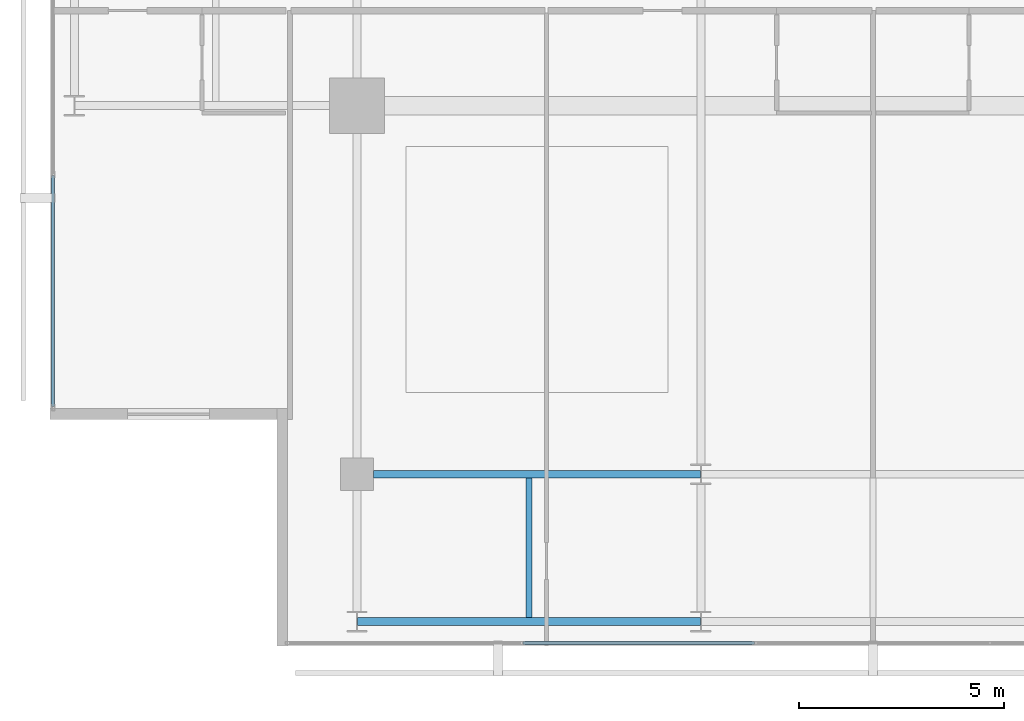
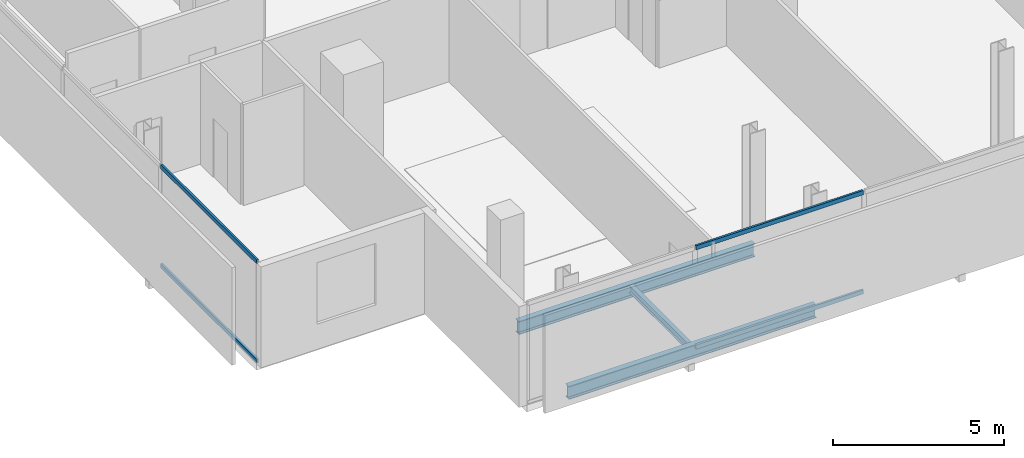
# One storey, part 3 of 23: 4 members, 3 beams, 2 elements without a shape of their own.
"""IFC4 building model written with IfcOpenShell, lengths in metres."""

import ifcopenshell
import ifcopenshell.guid

model = None  # the IFC model being written
_history = None  # IfcOwnerHistory: only IFC2X3 demands one
_inside = {}  # id of a spatial element -> (the spatial element, [elements in it])
_under = {}  # id of a project, library or spatial element -> (it, [spatial elements below it])
_declared = {}  # id of a project -> (the project, [libraries it declares])
_typed = {}  # id of a type object -> (the type object, [elements of that type])
_made_of = {}  # id of a material, layer set ... -> (it, [elements and type objects made of it])


def new_model(schema):
    """Start an empty IFC model of exactly this schema.

    Asked for "IFC4X3", IfcOpenShell would pick the latest addendum, in which some entities
    have other attributes; the version numbers below select the first issue.
    IFC2X3 requires an IfcOwnerHistory on every rooted entity: one is made here for all.
    """
    global model, _history
    if schema == "IFC4X3":
        model = ifcopenshell.file(schema_version=(4, 3, 0, 0))
    else:
        model = ifcopenshell.file(schema=schema)
    _inside.clear()
    _under.clear()
    _declared.clear()
    _typed.clear()
    _made_of.clear()
    _history = None
    if model.schema == "IFC2X3":
        org = make("IfcOrganization", Name="unknown")
        user = make(
            "IfcPersonAndOrganization",
            ThePerson=make("IfcPerson", FamilyName="unknown"),
            TheOrganization=org,
        )
        app = make(
            "IfcApplication",
            ApplicationDeveloper=org,
            Version="unknown",
            ApplicationFullName="unknown",
            ApplicationIdentifier="unknown",
        )
        _history = make(
            "IfcOwnerHistory",
            OwningUser=user,
            OwningApplication=app,
            ChangeAction="ADDED",
            CreationDate=0,
        )
    return model


def make(cls, **values):
    """One entity of the class cls with the attributes given. An attribute that is None is left unset."""
    return model.create_entity(
        cls, **{name: value for name, value in values.items() if value is not None}
    )


def rooted(cls, **values):
    """An entity with a GlobalId (a new one), such as an element, a storey or a relation."""
    return make(cls, GlobalId=ifcopenshell.guid.new(), OwnerHistory=_history, **values)


def si_unit(unit_type, name, prefix=None):
    """IfcSIUnit, for example si_unit("LENGTHUNIT", "METRE", prefix="MILLI")."""
    return make("IfcSIUnit", UnitType=unit_type, Prefix=prefix, Name=name)


def assignment(units):
    """IfcUnitAssignment: the units of a project."""
    return None if units is None else make("IfcUnitAssignment", Units=units)


def point(xyz):
    """IfcCartesianPoint."""
    return None if xyz is None else make("IfcCartesianPoint", Coordinates=xyz)


def direction(xyz):
    """IfcDirection."""
    return None if xyz is None else make("IfcDirection", DirectionRatios=xyz)


def frame(location, z_axis=None, x_axis=None):
    """IfcAxis2Placement3D, a coordinate frame: its origin and axes. An axis left out is left unset."""
    return make(
        "IfcAxis2Placement3D",
        Location=point(location),
        Axis=direction(z_axis),
        RefDirection=direction(x_axis),
    )


def frame_2d(location, x_axis=None):
    """IfcAxis2Placement2D, a coordinate frame in the plane: its origin and x axis."""
    return make(
        "IfcAxis2Placement2D", Location=point(location), RefDirection=direction(x_axis)
    )


def origin():
    """The frame at (0, 0, 0) with its axes left unset."""
    return frame((0.0, 0.0, 0.0))


def origin_2d():
    """The frame at (0, 0) in the plane with its x axis left unset."""
    return frame_2d((0.0, 0.0))


def place(relative_to, where):
    """IfcLocalPlacement: puts the frame where relative to a parent placement (None: the world)."""
    return make(
        "IfcLocalPlacement", PlacementRelTo=relative_to, RelativePlacement=where
    )


def context(
    kind, dimensions, precision=None, world=None, true_north=None, identifier=None
):
    """IfcGeometricRepresentationContext, for example the 3D "Model" context."""
    return make(
        "IfcGeometricRepresentationContext",
        ContextIdentifier=identifier,
        ContextType=kind,
        CoordinateSpaceDimension=dimensions,
        Precision=precision,
        WorldCoordinateSystem=world,
        TrueNorth=true_north,
    )


def subcontext(parent, identifier, kind, view, scale=None):
    """IfcGeometricRepresentationSubContext, for example "Body" below "Model"."""
    return make(
        "IfcGeometricRepresentationSubContext",
        ContextIdentifier=identifier,
        ContextType=kind,
        ParentContext=parent,
        TargetScale=scale,
        TargetView=view,
    )


def project(units=None, contexts=None):
    """IfcProject with its units and contexts."""
    return rooted(
        "IfcProject",
        Name="project",
        RepresentationContexts=contexts,
        UnitsInContext=assignment(units),
    )


def spatial(cls, under=None, at=None, **own):
    """A site, building, storey or space (cls), placed at a placement, below another one or the project."""
    s = rooted(cls, ObjectPlacement=at, **own)
    if under is not None:
        _under.setdefault(under.id(), (under, []))[1].append(s)
    return s


def profile(cls, at=None, kind="AREA", **sizes):
    """A parametric profile (cls). Its sizes go by their IFC names, for example OverallWidth=200.0."""
    return make(cls, ProfileType=kind, Position=at, **sizes)


def hollow_rectangle(**sizes):
    """IfcRectangleHollowProfileDef."""
    return profile("IfcRectangleHollowProfileDef", **sizes)


def i_section(**sizes):
    """IfcIShapeProfileDef."""
    return profile("IfcIShapeProfileDef", **sizes)


def extrude(swept, where, along, depth):
    """IfcExtrudedAreaSolid: the profile swept, set in the frame where, extruded along a direction by depth."""
    return make(
        "IfcExtrudedAreaSolid",
        SweptArea=swept,
        Position=where,
        ExtrudedDirection=direction(along),
        Depth=depth,
    )


def shape(context_of_items, identifier, shape_type, items):
    """IfcShapeRepresentation: the items that make up one representation, for example the "Body"."""
    return make(
        "IfcShapeRepresentation",
        ContextOfItems=context_of_items,
        RepresentationIdentifier=identifier,
        RepresentationType=shape_type,
        Items=items,
    )


def material(Name=None, Category=None):
    """IfcMaterial."""
    return make("IfcMaterial", Name=Name, Category=Category)


def layer(
    of_material, thickness, ventilated=None, Name=None, Category=None, Priority=None
):
    """IfcMaterialLayer: one layer of a wall or slab, of a material (None: an air gap)."""
    return make(
        "IfcMaterialLayer",
        Material=of_material,
        LayerThickness=thickness,
        IsVentilated=ventilated,
        Name=Name,
        Category=Category,
        Priority=Priority,
    )


def layer_set(layers, Name=None):
    """IfcMaterialLayerSet."""
    return make("IfcMaterialLayerSet", MaterialLayers=layers, LayerSetName=Name)


def material_profile(
    of_material, cross_section, Name=None, Category=None, Priority=None
):
    """IfcMaterialProfile: a cross section and its material."""
    return make(
        "IfcMaterialProfile",
        Name=Name,
        Material=of_material,
        Profile=cross_section,
        Priority=Priority,
        Category=Category,
    )


def profile_set(profiles, Name=None, composite=None):
    """IfcMaterialProfileSet."""
    return make(
        "IfcMaterialProfileSet",
        Name=Name,
        MaterialProfiles=profiles,
        CompositeProfile=composite,
    )


def made_of(thing, what):
    """Note that an element or type object is made of a material, layer set ...; save() writes the relation."""
    if what is not None:
        _made_of.setdefault(what.id(), (what, []))[1].append(thing)
    return thing


def type_object(cls, material=None, **own):
    """A type object (cls), such as IfcWallType, which elements share."""
    return made_of(rooted(cls, **own), material)


def element(
    cls,
    number,
    at=None,
    inside=None,
    cuts=None,
    type_object=None,
    material=None,
    context=None,
    identifier="Body",
    shape_type=None,
    held_by="IfcProductDefinitionShape",
    body=None,
    shapes=None,
    **own,
):
    """One element of the class cls, such as IfcWall. Its Tag is "e" and its number.

    at: its placement. inside: the storey or other place that contains it. cuts: it is an
    opening in that element (IfcRelVoidsElement). A single representation is given by context,
    identifier, shape_type and body (its items); several are given by shapes. held_by: the class
    of the entity that holds the representations. save() writes the other relations.
    """
    e = rooted(cls, Tag="e%d" % number, ObjectPlacement=at, **own)
    if body is not None:
        shapes = [shape(context, identifier, shape_type, body)]
    if shapes is not None:
        e.Representation = make(held_by, Representations=shapes)
    if inside is not None:
        _inside.setdefault(inside.id(), (inside, []))[1].append(e)
    if cuts is not None:
        rooted(
            "IfcRelVoidsElement", RelatingBuildingElement=cuts, RelatedOpeningElement=e
        )
    if type_object is not None:
        _typed.setdefault(type_object.id(), (type_object, []))[1].append(e)
    return made_of(e, material)


def aggregate(whole, parts):
    """IfcRelAggregates: a whole, such as a stair, and the parts it consists of."""
    return rooted("IfcRelAggregates", RelatingObject=whole, RelatedObjects=parts)


def save(model, path):
    """Write the relations noted so far, then the file.

    IfcRelAggregates (storeys below a building ...), IfcRelContainedInSpatialStructure (elements
    in a storey), IfcRelDefinesByType, IfcRelAssociatesMaterial and IfcRelDeclares: one each for
    every whole, place, type object, material and project.
    """
    for whole, parts in _under.values():
        aggregate(whole, parts)
    for where, things in _inside.values():
        rooted(
            "IfcRelContainedInSpatialStructure",
            RelatedElements=things,
            RelatingStructure=where,
        )
    for kind, things in _typed.values():
        rooted("IfcRelDefinesByType", RelatedObjects=things, RelatingType=kind)
    for what, things in _made_of.values():
        rooted("IfcRelAssociatesMaterial", RelatedObjects=things, RelatingMaterial=what)
    for by, libraries in _declared.values():
        rooted("IfcRelDeclares", RelatingContext=by, RelatedDefinitions=libraries)
    model.write(path)


model = new_model("IFC4")

# Units and contexts
model_context = context("Model", 3, precision=1e-05, world=origin(), true_north=direction((0.0, 1.0)))
body_context = subcontext(model_context, "Body", "Model", "MODEL_VIEW")
ifc_project = project(units=[si_unit("LENGTHUNIT", "METRE"), si_unit("AREAUNIT", "SQUARE_METRE"), si_unit("VOLUMEUNIT", "CUBIC_METRE"), si_unit("PLANEANGLEUNIT", "RADIAN"), si_unit("MASSUNIT", "GRAM", prefix="KILO")], contexts=[model_context])

# Site, building, storey
site_placement = place(None, origin())
site = spatial("IfcSite", under=ifc_project, at=site_placement, CompositionType="ELEMENT")
building_placement = place(site_placement, origin())
building = spatial("IfcBuilding", under=site, at=building_placement, Name="Maruvema Waterfront Hotel and Observation Tower", CompositionType="ELEMENT")
storey_placement = place(building_placement, frame((0.0, 0.0, 337.39990234375)))
storey = spatial("IfcBuildingStorey", under=building, at=storey_placement, Name="L83", CompositionType="ELEMENT", Elevation=337.39990234375)

# Curtain wall, members
ifc_material_1 = material(Name="Anodised bronze aluminium and solar-control low-E IGU", Category="aluminium")
ifc_layer = layer(ifc_material_1, 0.159912109375, Name="Zone 4 Sky Residence Inner Curtain Wall System CW-05")
ifc_layer_set = layer_set([ifc_layer], Name="Anodised bronze aluminium and solar-control low-E IGU")
curtain_wall_type = type_object("IfcCurtainWallType", Name="Zone 4 Sky Residence Inner Curtain Wall System CW-05", PredefinedType="USERDEFINED", material=ifc_layer_set)
curtain_wall_1_placement = place(storey_placement, origin())
curtain_wall_1 = element("IfcCurtainWall", 1, at=curtain_wall_1_placement, inside=storey, type_object=curtain_wall_type, Name="L83 Curtain Wall CW-L83-S", ObjectType="UNITISED CURTAIN WALL", PredefinedType="USERDEFINED")
ifc_material_2 = material(Name="Anodised architectural bronze aluminium", Category="aluminium")
ifc_material_profile_1 = material_profile(ifc_material_2, hollow_rectangle(XDim=0.070068359375, YDim=0.14990234375, WallThickness=0.00390625, at=origin_2d()), Name="ALU-T70x150")
ifc_profile_set_1 = profile_set([ifc_material_profile_1], Name="Anodised architectural bronze aluminium")
member_type = type_object("IfcMemberType", Name="Curtain Wall Horizontal Transom ALU-T70x150", PredefinedType="USERDEFINED", material=ifc_profile_set_1)
member_1_placement = place(storey_placement, frame((29.25, 13.8798828125, 0.030029296875), z_axis=(1.0, 0.0, 0.0), x_axis=(0.0, 1.0, 0.0)))
member_1 = element("IfcMember", 2, at=member_1_placement, type_object=member_type, Name="CW-05 transom 2.1", ObjectType="TRANSOM", PredefinedType="USERDEFINED", context=body_context, shape_type="SweptSolid", body=[
    extrude(hollow_rectangle(XDim=0.070068359375, YDim=0.14990234375, WallThickness=0.00390625, at=origin_2d()), origin(), (0.0, 0.0, 1.0), 5.659912109375),
])
member_2_placement = place(storey_placement, frame((29.25, 13.8798828125, 3.580078125), z_axis=(1.0, 0.0, 0.0), x_axis=(0.0, 1.0, 0.0)))
member_2 = element("IfcMember", 3, at=member_2_placement, type_object=member_type, Name="CW-05 transom 2.2", ObjectType="TRANSOM", PredefinedType="USERDEFINED", context=body_context, shape_type="SweptSolid", body=[
    extrude(hollow_rectangle(XDim=0.070068359375, YDim=0.14990234375, WallThickness=0.00390625, at=origin_2d()), origin(), (0.0, 0.0, 1.0), 5.659912109375),
])
aggregate(curtain_wall_1, [member_1, member_2])

curtain_wall_2_placement = place(storey_placement, origin())
curtain_wall_2 = element("IfcCurtainWall", 4, at=curtain_wall_2_placement, inside=storey, type_object=curtain_wall_type, Name="L83 Curtain Wall CW-L83-W", ObjectType="UNITISED CURTAIN WALL", PredefinedType="USERDEFINED")
member_3_placement = place(storey_placement, frame((17.780029296875, 25.2900390625, 0.030029296875), z_axis=(0.0, -1.0, 0.0), x_axis=(1.0, 0.0, 0.0)))
member_3 = element("IfcMember", 5, at=member_3_placement, type_object=member_type, Name="CW-05 transom 5.1", ObjectType="TRANSOM", PredefinedType="USERDEFINED", context=body_context, shape_type="SweptSolid", body=[
    extrude(hollow_rectangle(XDim=0.070068359375, YDim=0.14990234375, WallThickness=0.00390625, at=origin_2d()), origin(), (0.0, 0.0, 1.0), 5.630126953125),
])
member_4_placement = place(storey_placement, frame((17.780029296875, 25.2900390625, 3.580078125), z_axis=(0.0, -1.0, 0.0), x_axis=(1.0, 0.0, 0.0)))
member_4 = element("IfcMember", 6, at=member_4_placement, type_object=member_type, Name="CW-05 transom 5.2", ObjectType="TRANSOM", PredefinedType="USERDEFINED", context=body_context, shape_type="SweptSolid", body=[
    extrude(hollow_rectangle(XDim=0.070068359375, YDim=0.14990234375, WallThickness=0.00390625, at=origin_2d()), origin(), (0.0, 0.0, 1.0), 5.630126953125),
])
aggregate(curtain_wall_2, [member_3, member_4])

# Beams
ifc_material_3 = material(Name="Steel ASTM A572 Grade 50", Category="steel")
ifc_material_profile_2 = material_profile(ifc_material_3, i_section(OverallWidth=0.194091796875, OverallDepth=0.468994140625, WebThickness=0.0126953125, FlangeThickness=0.0205078125, FilletRadius=0.014892578125, at=origin_2d()), Name="W460x106.0")
ifc_profile_set_2 = profile_set([ifc_material_profile_2], Name="Steel ASTM A572 Grade 50")
beam_type_1 = type_object("IfcBeamType", Name="Primary Floor Girder W460x106.0", PredefinedType="BEAM", material=ifc_profile_set_2)
beam_1_placement = place(storey_placement, frame((25.2109375, 14.39990234375, -0.474365234375), z_axis=(1.0, 0.0, 0.0), x_axis=(0.0, 1.0, 0.0)))
element("IfcBeam", 7, at=beam_1_placement, inside=storey, type_object=beam_type_1, Name="L83 Floor Girder EW-01", PredefinedType="BEAM", context=body_context, shape_type="SweptSolid", body=[
    extrude(i_section(OverallWidth=0.194091796875, OverallDepth=0.468994140625, WebThickness=0.0126953125, FlangeThickness=0.0205078125, FilletRadius=0.014892578125, at=origin_2d()), origin(), (0.0, 0.0, 1.0), 8.378173828125),
])
beam_2_placement = place(storey_placement, frame((25.60009765625, 18.0, -0.474365234375), z_axis=(1.0, 0.0, 0.0), x_axis=(0.0, 1.0, 0.0)))
element("IfcBeam", 8, at=beam_2_placement, inside=storey, type_object=beam_type_1, Name="L83 Floor Girder EW-04", PredefinedType="BEAM", context=body_context, shape_type="SweptSolid", body=[
    extrude(i_section(OverallWidth=0.194091796875, OverallDepth=0.468994140625, WebThickness=0.0126953125, FlangeThickness=0.0205078125, FilletRadius=0.014892578125, at=origin_2d()), origin(), (0.0, 0.0, 1.0), 7.989013671875),
])
ifc_material_4 = material(Name="Steel ASTM A572 Grade 50", Category="steel")
ifc_material_profile_3 = material_profile(ifc_material_4, i_section(OverallWidth=0.14794921875, OverallDepth=0.26611328125, WebThickness=0.007568359375, FlangeThickness=0.012939453125, FilletRadius=0.012939453125, at=origin_2d()), Name="W250x44.8")
ifc_profile_set_3 = profile_set([ifc_material_profile_3], Name="Steel ASTM A572 Grade 50")
beam_type_2 = type_object("IfcBeamType", Name="Secondary Floor Joist W250x44.8", PredefinedType="JOIST", material=ifc_profile_set_3)
beam_3_placement = place(storey_placement, frame((29.39990234375, 14.4970703125, -0.372802734375), z_axis=(0.0, 1.0, 0.0), x_axis=(-1.0, 0.0, 0.0)))
element("IfcBeam", 9, at=beam_3_placement, inside=storey, type_object=beam_type_2, Name="L83 Secondary Floor Joist JS-03", PredefinedType="JOIST", context=body_context, shape_type="SweptSolid", body=[
    extrude(i_section(OverallWidth=0.14794921875, OverallDepth=0.26611328125, WebThickness=0.007568359375, FlangeThickness=0.012939453125, FilletRadius=0.012939453125, at=origin_2d()), origin(), (0.0, 0.0, 1.0), 3.406005859375),
])

save(model, "model.ifc")
